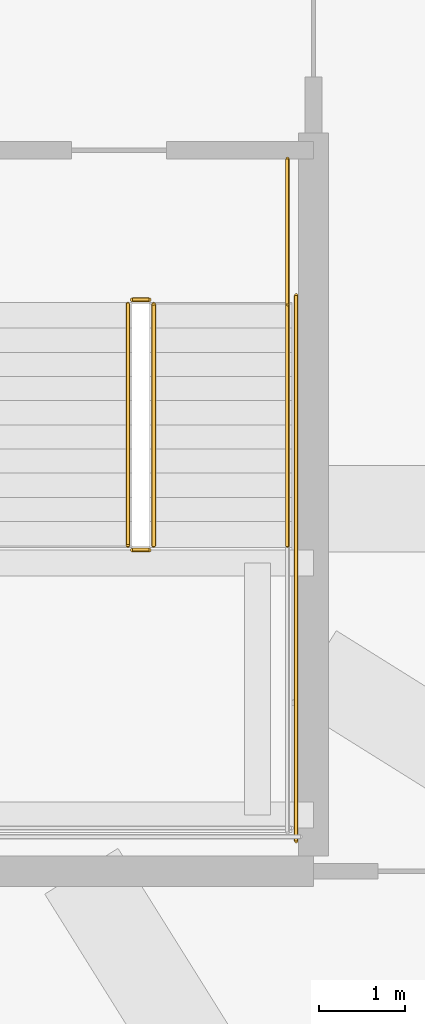
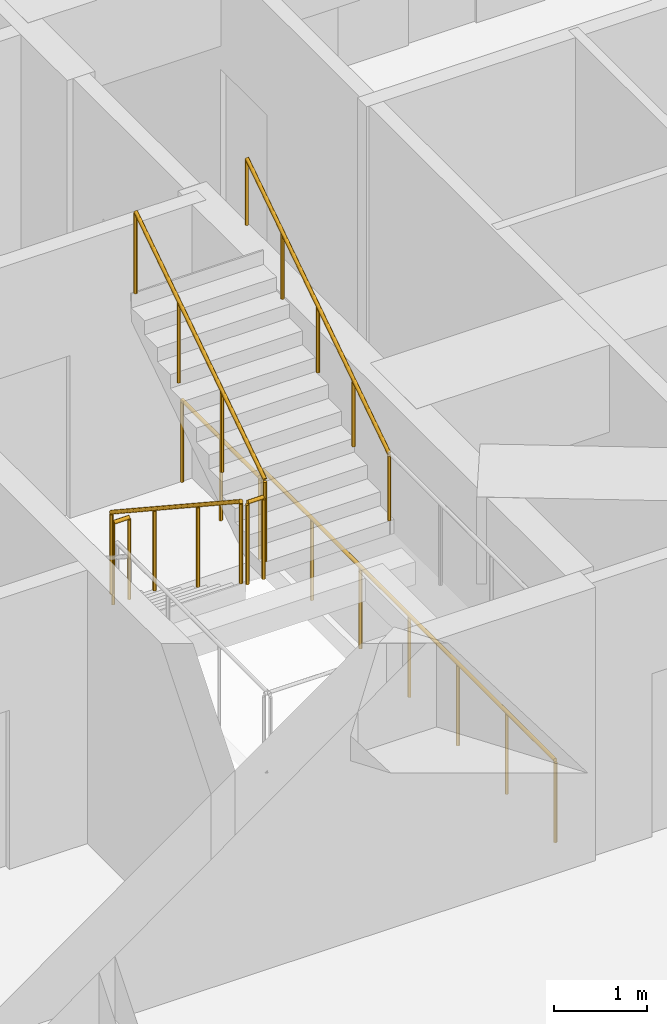
# One storey, part 39 of 40: 7 railings.
"""IFC4 building model written with IfcOpenShell, lengths in metres."""

from ifc_helpers import new_model, si_unit, direction, frame, origin, origin_2d, place, context, subcontext, project, spatial, circle, extrude, material, type_object, element, save


model = new_model("IFC4")

# Units and contexts
model_context = context("Model", 3, precision=1e-05, world=origin(), true_north=direction((0.0, 1.0)))
body_context = subcontext(model_context, "Body", "Model", "MODEL_VIEW")
ifc_project = project(units=[si_unit("LENGTHUNIT", "METRE"), si_unit("AREAUNIT", "SQUARE_METRE"), si_unit("VOLUMEUNIT", "CUBIC_METRE"), si_unit("PLANEANGLEUNIT", "RADIAN"), si_unit("MASSUNIT", "GRAM", prefix="KILO")], contexts=[model_context])

# Site, building, storey
site_placement = place(None, origin())
site = spatial("IfcSite", under=ifc_project, at=site_placement, CompositionType="ELEMENT")
building_placement = place(site_placement, origin())
building = spatial("IfcBuilding", under=site, at=building_placement, Name="Serunith Strait Residences", CompositionType="ELEMENT")
storey_placement = place(building_placement, frame((0.0, 0.0, 333.949951171875)))
storey = spatial("IfcBuildingStorey", under=building, at=storey_placement, Name="L83", CompositionType="ELEMENT", Elevation=333.949951171875)

# Railings
ifc_material = material(Name="Brushed stainless steel 316L", Category="steel")
railing_type_1 = type_object("IfcRailingType", Name="RLG-STAIR-GUARD", PredefinedType="BALUSTRADE", material=ifc_material)
railing_1_placement = place(storey_placement, frame((39.25, 23.3701171875, 0.18408203125)))
element("IfcRailing", 1, at=railing_1_placement, inside=storey, type_object=railing_type_1, Name="L83 ST-2 stair guard 1", PredefinedType="BALUSTRADE", context=body_context, shape_type="SweptSolid", body=[
    extrude(circle(Radius=0.02392578125, at=origin_2d()), frame((0.0, -0.001708984375, 1.0771484375), z_axis=(0.0, -0.83556406348, 0.549393024911), x_axis=(1.0, 0.0, 0.0)), (0.0, 0.0, 1.0), 3.34716796875),
    extrude(circle(Radius=0.02099609375, at=origin_2d()), origin(), (0.0, 0.0, 1.0), 1.050048828125),
    extrude(circle(Radius=0.02099609375, at=origin_2d()), frame((0.0, -0.933349609375, 0.61376953125)), (0.0, 0.0, 1.0), 1.050048828125),
    extrude(circle(Radius=0.02099609375, at=origin_2d()), frame((0.0, -1.86669921875, 1.227294921875)), (0.0, 0.0, 1.0), 1.050048828125),
    extrude(circle(Radius=0.02099609375, at=origin_2d()), frame((0.0, -2.800048828125, 1.841064453125)), (0.0, 0.0, 1.0), 1.050048828125),
])
railing_2_placement = place(storey_placement, frame((39.300048828125, 20.52001953125, 2.025146484375)))
element("IfcRailing", 2, at=railing_2_placement, inside=storey, type_object=railing_type_1, Name="L83 ST-2 stair guard 2", PredefinedType="BALUSTRADE", context=body_context, shape_type="SweptSolid", body=[
    extrude(circle(Radius=0.02392578125, at=origin_2d()), frame((0.001953125, 0.0, 1.076171875), z_axis=(1.0, 0.0, 0.0), x_axis=(0.0, 1.0, 0.0)), (0.0, 0.0, 1.0), 0.196044921875),
    extrude(circle(Radius=0.02099609375, at=origin_2d()), origin(), (0.0, 0.0, 1.0), 1.050048828125),
    extrude(circle(Radius=0.02099609375, at=origin_2d()), frame((0.199951171875, 0.0, 0.0)), (0.0, 0.0, 1.0), 1.050048828125),
])
railing_3_placement = place(storey_placement, frame((39.550048828125, 20.570068359375, 2.209228515625)))
element("IfcRailing", 3, at=railing_3_placement, inside=storey, type_object=railing_type_1, Name="L83 ST-2 stair guard 6", PredefinedType="BALUSTRADE", context=body_context, shape_type="SweptSolid", body=[
    extrude(circle(Radius=0.02392578125, at=origin_2d()), frame((0.0, 0.001708984375, 1.0771484375), z_axis=(0.0, 0.835597507184, 0.549342157483), x_axis=(-1.0, 0.0, 0.0)), (0.0, 0.0, 1.0), 3.346923828125),
    extrude(circle(Radius=0.02099609375, at=origin_2d()), origin(), (0.0, 0.0, 1.0), 1.050048828125),
    extrude(circle(Radius=0.02099609375, at=origin_2d()), frame((0.0, 0.933349609375, 0.613525390625)), (0.0, 0.0, 1.0), 1.050048828125),
    extrude(circle(Radius=0.02099609375, at=origin_2d()), frame((0.0, 1.86669921875, 1.227294921875)), (0.0, 0.0, 1.0), 1.050048828125),
    extrude(circle(Radius=0.02099609375, at=origin_2d()), frame((0.0, 2.800048828125, 1.8408203125)), (0.0, 0.0, 1.0), 1.050048828125),
])
railing_4_placement = place(storey_placement, frame((39.300048828125, 23.419921875, 0.0)))
element("IfcRailing", 4, at=railing_4_placement, inside=storey, type_object=railing_type_1, Name="L83 ST-2 stair guard 7", PredefinedType="BALUSTRADE", context=body_context, shape_type="SweptSolid", body=[
    extrude(circle(Radius=0.02392578125, at=origin_2d()), frame((0.001953125, 0.0, 1.076171875), z_axis=(1.0, 0.0, 0.0), x_axis=(0.0, 1.0, 0.0)), (0.0, 0.0, 1.0), 0.196044921875),
    extrude(circle(Radius=0.02099609375, at=origin_2d()), origin(), (0.0, 0.0, 1.0), 1.050048828125),
    extrude(circle(Radius=0.02099609375, at=origin_2d()), frame((0.199951171875, 0.0, 0.0)), (0.0, 0.0, 1.0), 1.050048828125),
])
railing_5_placement = place(storey_placement, frame((41.10009765625, 25.050048828125, 0.0)))
element("IfcRailing", 5, at=railing_5_placement, inside=storey, type_object=railing_type_1, Name="L83 ST-2 stair guard 9", PredefinedType="BALUSTRADE", context=body_context, shape_type="SweptSolid", body=[
    extrude(circle(Radius=0.02392578125, at=origin_2d()), frame((0.0, -0.001953125, 1.076171875), z_axis=(0.0, -1.0, 0.0), x_axis=(1.0, 0.0, 0.0)), (0.0, 0.0, 1.0), 1.676025390625),
    extrude(circle(Radius=0.02099609375, at=origin_2d()), origin(), (0.0, 0.0, 1.0), 1.050048828125),
    extrude(circle(Radius=0.02099609375, at=origin_2d()), frame((0.0, -0.83984375, 0.0)), (0.0, 0.0, 1.0), 1.050048828125),
    extrude(circle(Radius=0.02099609375, at=origin_2d()), frame((0.0, -1.679931640625, 0.0)), (0.0, 0.0, 1.0), 1.050048828125),
])
railing_6_placement = place(storey_placement, frame((41.199951171875, 23.469970703125, 0.0)))
element("IfcRailing", 6, at=railing_6_placement, inside=storey, type_object=railing_type_1, Name="L83 ST-2 stair guard 11", PredefinedType="BALUSTRADE", context=body_context, shape_type="SweptSolid", body=[
    extrude(circle(Radius=0.02392578125, at=origin_2d()), frame((0.0, -0.001953125, 1.076171875), z_axis=(0.0, -1.0, 0.0), x_axis=(1.0, 0.0, 0.0)), (0.0, 0.0, 1.0), 6.316162109375),
    extrude(circle(Radius=0.02099609375, at=origin_2d()), origin(), (0.0, 0.0, 1.0), 1.050048828125),
    extrude(circle(Radius=0.02099609375, at=origin_2d()), frame((0.0, -1.05322265625, 0.0)), (0.0, 0.0, 1.0), 1.050048828125),
    extrude(circle(Radius=0.02099609375, at=origin_2d()), frame((0.0, -2.106689453125, 0.0)), (0.0, 0.0, 1.0), 1.050048828125),
    extrude(circle(Radius=0.02099609375, at=origin_2d()), frame((0.0, -3.16015625, 0.0)), (0.0, 0.0, 1.0), 1.050048828125),
    extrude(circle(Radius=0.02099609375, at=origin_2d()), frame((0.0, -4.21337890625, 0.0)), (0.0, 0.0, 1.0), 1.050048828125),
    extrude(circle(Radius=0.02099609375, at=origin_2d()), frame((0.0, -5.2666015625, 0.0)), (0.0, 0.0, 1.0), 1.050048828125),
    extrude(circle(Radius=0.02099609375, at=origin_2d()), frame((0.0, -6.320068359375, 0.0)), (0.0, 0.0, 1.0), 1.050048828125),
])
railing_type_2 = type_object("IfcRailingType", Name="RLG-STAIR-HR", PredefinedType="HANDRAIL", material=ifc_material)
railing_7_placement = place(storey_placement, frame((41.10009765625, 20.570068359375, 2.209228515625)))
element("IfcRailing", 7, at=railing_7_placement, inside=storey, type_object=railing_type_2, Name="L83 ST-2 stair handrail 2", PredefinedType="HANDRAIL", context=body_context, shape_type="SweptSolid", body=[
    extrude(circle(Radius=0.02392578125, at=origin_2d()), frame((0.0, 0.001708984375, 0.876953125), z_axis=(0.0, 0.834940924727, 0.550339579002), x_axis=(-1.0, 0.0, 0.0)), (0.0, 0.0, 1.0), 3.6845703125),
    extrude(circle(Radius=0.02099609375, at=origin_2d()), origin(), (0.0, 0.0, 1.0), 0.849853515625),
    extrude(circle(Radius=0.02099609375, at=origin_2d()), frame((0.0, 0.77001953125, 0.507568359375)), (0.0, 0.0, 1.0), 0.849853515625),
    extrude(circle(Radius=0.02099609375, at=origin_2d()), frame((0.0, 1.5400390625, 1.01513671875)), (0.0, 0.0, 1.0), 0.849853515625),
    extrude(circle(Radius=0.02099609375, at=origin_2d()), frame((0.0, 2.309814453125, 1.5224609375)), (0.0, 0.0, 1.0), 0.849853515625),
    extrude(circle(Radius=0.02099609375, at=origin_2d()), frame((0.0, 3.079833984375, 2.030029296875)), (0.0, 0.0, 1.0), 0.849853515625),
])

save(model, "model.ifc")
